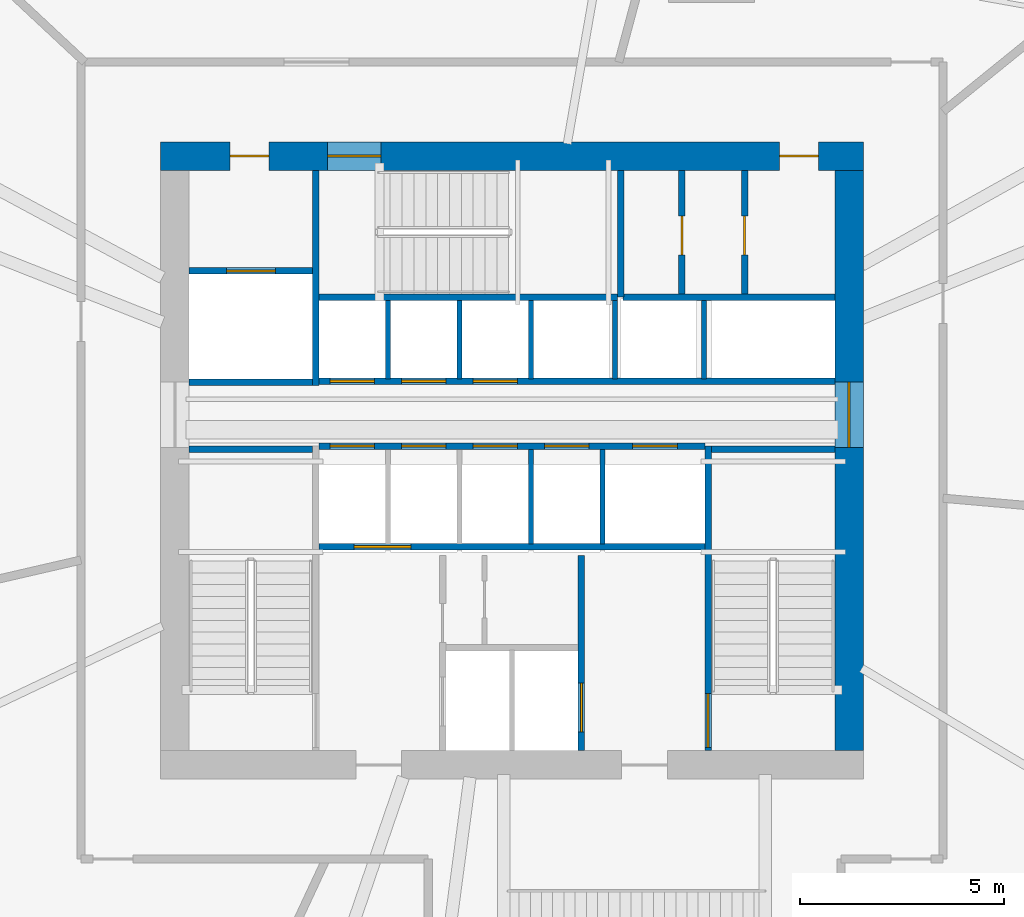
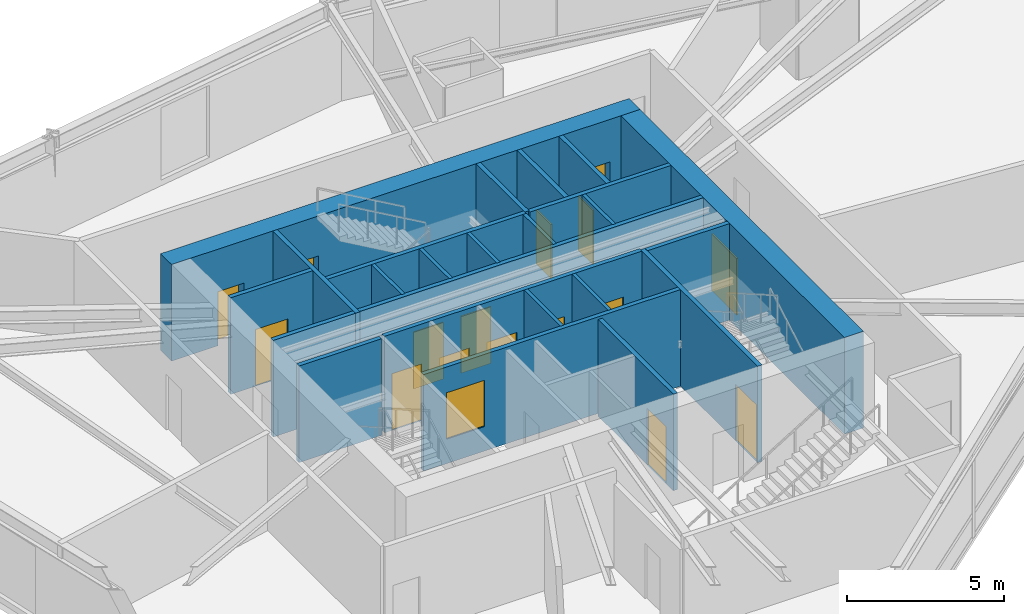
# One storey, part 12 of 16: 24 walls, 17 doors, 1 window, 18 openings.
"""IFC4 building model written with IfcOpenShell, lengths in metres."""

from ifc_helpers import new_model, si_unit, direction, frame, frame_2d, origin, place, context, subcontext, project, spatial, rectangle, extrude, source, transform, mapped, material, layer, layer_set, type_object, type_shapes, element, fill, save


model = new_model("IFC4")

# Units and contexts
model_context = context("Model", 3, precision=1e-05, world=origin(), true_north=direction((0.0, 1.0)))
body_context = subcontext(model_context, "Body", "Model", "MODEL_VIEW")
ifc_project = project(units=[si_unit("LENGTHUNIT", "METRE"), si_unit("AREAUNIT", "SQUARE_METRE"), si_unit("VOLUMEUNIT", "CUBIC_METRE"), si_unit("PLANEANGLEUNIT", "RADIAN"), si_unit("MASSUNIT", "GRAM", prefix="KILO")], contexts=[model_context])

# Site, building, storey
site_placement = place(None, origin())
site = spatial("IfcSite", under=ifc_project, at=site_placement, CompositionType="ELEMENT")
building_placement = place(site_placement, origin())
building = spatial("IfcBuilding", under=site, at=building_placement, Name="Olszyna Solenne Hotel", CompositionType="ELEMENT")
storey_placement = place(building_placement, frame((0.0, 0.0, 134.10009765625)))
storey = spatial("IfcBuildingStorey", under=building, at=storey_placement, Name="L35", CompositionType="ELEMENT", Elevation=134.10009765625)

# Wall, openings, doors
ifc_material_1 = material(Name="Concrete C60/75", Category="concrete")
ifc_layer_1 = layer(ifc_material_1, 0.699951171875, Name="Concrete C60/75")
ifc_layer_set_1 = layer_set([ifc_layer_1], Name="Concrete C60/75")
wall_type_1 = type_object("IfcWallType", Name="WL-CR700", PredefinedType="SHEAR", material=ifc_layer_set_1)
wall_1_placement = place(storey_placement, frame((29.39990234375, 34.050048828125, 0.0), z_axis=(0.0, 0.0, 1.0), x_axis=(1.0, 0.0, 0.0)))
wall_1 = element("IfcWall", 1, at=wall_1_placement, inside=storey, type_object=wall_type_1, Name="Core shear wall WL-CR700 CRW-L35-N", PredefinedType="SHEAR", context=body_context, shape_type="SweptSolid", body=[
    extrude(rectangle(XDim=17.2001953125, YDim=0.699951171875, at=frame_2d((8.60009765625, 0.0))), origin(), (0.0, 0.0, 1.0), 3.75),
])
opening_1_placement = place(wall_1_placement, frame((1.699951171875, 0.0, 0.0)))
opening_1 = element("IfcOpeningElement", 2, at=opening_1_placement, cuts=wall_1, Name="Opening SVD-L35-01", PredefinedType="OPENING", context=body_context, shape_type="SweptSolid", body=[
    extrude(rectangle(XDim=0.949951171875, YDim=2.10009765625, at=frame_2d((0.47509765625, 1.050048828125))), frame((0.0, 0.35986328125, 0.0), z_axis=(0.0, -1.0, 0.0), x_axis=(1.0, 0.0, 0.0)), (0.0, 0.0, 1.0), 0.719970703125),
])
opening_2_placement = place(wall_1_placement, frame((4.080078125, 0.0, 0.0)))
opening_2 = element("IfcOpeningElement", 3, at=opening_2_placement, cuts=wall_1, Name="Opening STD-L35-03", PredefinedType="OPENING", context=body_context, shape_type="SweptSolid", body=[
    extrude(rectangle(XDim=1.320068359375, YDim=2.199951171875, at=frame_2d((0.66015625, 1.10009765625))), frame((0.0, 0.35986328125, 0.0), z_axis=(0.0, -1.0, 0.0), x_axis=(1.0, 0.0, 0.0)), (0.0, 0.0, 1.0), 0.719970703125),
])
opening_3_placement = place(wall_1_placement, frame((15.14990234375, 0.0, 0.0)))
opening_3 = element("IfcOpeningElement", 4, at=opening_3_placement, cuts=wall_1, Name="Opening SVD-L35-BN", PredefinedType="OPENING", context=body_context, shape_type="SweptSolid", body=[
    extrude(rectangle(XDim=0.949951171875, YDim=2.10009765625, at=frame_2d((0.47509765625, 1.050048828125))), frame((0.0, 0.35986328125, 0.0), z_axis=(0.0, -1.0, 0.0), x_axis=(1.0, 0.0, 0.0)), (0.0, 0.0, 1.0), 0.719970703125),
])
ifc_material_2 = material(Name="Steel S355J2", Category="steel")
door_type_1 = type_object("IfcDoorType", Name="DR-ST1", OperationType="NOTDEFINED", PredefinedType="DOOR", material=ifc_material_2)
shared_shape_1 = source(origin(), body_context, "Body", "SweptSolid", [
    extrude(rectangle(XDim=1.320068359375, YDim=2.199951171875, at=frame_2d((0.66015625, 1.10009765625))), frame((0.0, 0.02490234375, 0.0), z_axis=(0.0, -1.0, 0.0), x_axis=(1.0, 0.0, 0.0)), (0.0, 0.0, 1.0), 0.050048828125),
])
type_shapes(door_type_1, [shared_shape_1])
door_1_placement = place(opening_2_placement, origin())
door_1 = element("IfcDoor", 5, at=door_1_placement, inside=storey, type_object=door_type_1, Name="Pressurised exit stair ST3 fire door STD-L35-03", OperationType="SINGLE_SWING_RIGHT", OverallHeight=2.199951171875, OverallWidth=1.320068359375, PredefinedType="DOOR", context=body_context, shape_type="MappedRepresentation", body=[
    mapped(shared_shape_1, transform((0.0, 0.0, 0.0), x_axis=(1.0, 0.0, 0.0), y_axis=(0.0, 1.0, 0.0), z_axis=(0.0, 0.0, 1.0), scale=1.0)),
])
fill(opening_2, door_1)
door_type_2 = type_object("IfcDoorType", Name="DR-SV1", OperationType="NOTDEFINED", PredefinedType="DOOR", material=ifc_material_2)
shared_shape_2 = source(origin(), body_context, "Body", "SweptSolid", [
    extrude(rectangle(XDim=0.949951171875, YDim=2.10009765625, at=frame_2d((0.47509765625, 1.050048828125))), frame((0.0, 0.02490234375, 0.0), z_axis=(0.0, -1.0, 0.0), x_axis=(1.0, 0.0, 0.0)), (0.0, 0.0, 1.0), 0.050048828125),
])
type_shapes(door_type_2, [shared_shape_2])
door_2_placement = place(opening_1_placement, origin())
door_2 = element("IfcDoor", 6, at=door_2_placement, inside=storey, type_object=door_type_2, Name="Service lift lobby fire door SVD-L35-01", OperationType="SINGLE_SWING_LEFT", OverallHeight=2.10009765625, OverallWidth=0.949951171875, PredefinedType="DOOR", context=body_context, shape_type="MappedRepresentation", body=[
    mapped(shared_shape_2, transform((0.0, 0.0, 0.0), x_axis=(1.0, 0.0, 0.0), y_axis=(0.0, 1.0, 0.0), z_axis=(0.0, 0.0, 1.0), scale=1.0)),
])
fill(opening_1, door_2)
door_3_placement = place(opening_3_placement, origin())
door_3 = element("IfcDoor", 7, at=door_3_placement, inside=storey, type_object=door_type_2, Name="Housekeeping core fire door SVD-L35-BN", OperationType="SINGLE_SWING_LEFT", OverallHeight=2.10009765625, OverallWidth=0.949951171875, PredefinedType="DOOR", context=body_context, shape_type="MappedRepresentation", body=[
    mapped(shared_shape_2, transform((0.0, 0.0, 0.0), x_axis=(1.0, 0.0, 0.0), y_axis=(0.0, 1.0, 0.0), z_axis=(0.0, 0.0, 1.0), scale=1.0)),
])
fill(opening_3, door_3)

# Wall, opening, door
wall_2_placement = place(storey_placement, frame((46.25, 33.699951171875, 0.0), z_axis=(0.0, 0.0, 1.0), x_axis=(0.0, -1.0, 0.0)))
wall_2 = element("IfcWall", 8, at=wall_2_placement, inside=storey, type_object=wall_type_1, Name="Core shear wall WL-CR700 CRW-L35-E", PredefinedType="SHEAR", context=body_context, shape_type="SweptSolid", body=[
    extrude(rectangle(XDim=14.199951171875, YDim=0.699951171875, at=frame_2d((7.10009765625, 0.0))), origin(), (0.0, 0.0, 1.0), 3.75),
])
opening_4_placement = place(wall_2_placement, frame((5.179931640625, 0.0, 0.0)))
opening_4 = element("IfcOpeningElement", 9, at=opening_4_placement, cuts=wall_2, Name="Opening LHD-L35-E", PredefinedType="OPENING", context=body_context, shape_type="SweptSolid", body=[
    extrude(rectangle(XDim=1.60009765625, YDim=2.199951171875, at=frame_2d((0.800048828125, 1.10009765625))), frame((0.0, 0.35986328125, 0.0), z_axis=(0.0, -1.0, 0.0), x_axis=(1.0, 0.0, 0.0)), (0.0, 0.0, 1.0), 0.719970703125),
])
ifc_material_3 = material(Name="Timber hardwood", Category="wood")
door_type_3 = type_object("IfcDoorType", Name="DR-CR1", OperationType="DOUBLE_DOOR_SINGLE_SWING", PredefinedType="DOOR", material=ifc_material_3)
shared_shape_3 = source(origin(), body_context, "Body", "SweptSolid", [
    extrude(rectangle(XDim=1.60009765625, YDim=2.199951171875, at=frame_2d((0.800048828125, 1.10009765625))), frame((0.0, 0.02490234375, 0.0), z_axis=(0.0, -1.0, 0.0), x_axis=(1.0, 0.0, 0.0)), (0.0, 0.0, 1.0), 0.050048828125),
])
type_shapes(door_type_3, [shared_shape_3])
door_4_placement = place(opening_4_placement, origin())
door_4 = element("IfcDoor", 10, at=door_4_placement, inside=storey, type_object=door_type_3, Name="Passenger lift lobby East fire door LHD-L35-E", OperationType="DOUBLE_DOOR_SINGLE_SWING", OverallHeight=2.199951171875, OverallWidth=1.60009765625, PredefinedType="DOOR", context=body_context, shape_type="MappedRepresentation", body=[
    mapped(shared_shape_3, transform((0.0, 0.0, 0.0), x_axis=(1.0, 0.0, 0.0), y_axis=(0.0, 1.0, 0.0), z_axis=(0.0, 0.0, 1.0), scale=1.0)),
])
fill(opening_4, door_4)

# Walls
ifc_material_4 = material(Name="Acoustic gypsum partition", Category="gypsum")
ifc_layer_2 = layer(ifc_material_4, 0.125, Name="Acoustic gypsum partition")
ifc_layer_set_2 = layer_set([ifc_layer_2], Name="Acoustic gypsum partition")
wall_type_2 = type_object("IfcWallType", Name="WL-PT125", PredefinedType="PARTITIONING", material=ifc_layer_set_2)
for number, where, z_axis, x_axis, name in (
    (11, (38.465087890625, 24.56005859375, 0.0), (0.0, 0.0, 1.0), (0.0, 1.0, 0.0), "Core shaft compartment wall CW-L35-DIVS384"),
    (12, (40.215087890625, 24.56005859375, 0.0), (0.0, 0.0, 1.0), (0.0, 1.0, 0.0), "Core shaft compartment wall CW-L35-DIVS402"),
):
    element("IfcWall", number, at=place(storey_placement, frame(where, z_axis=z_axis, x_axis=x_axis)), inside=storey, type_object=wall_type_2, Name=name, PredefinedType="PARTITIONING", context=body_context, shape_type="SweptSolid", body=[
        extrude(rectangle(XDim=2.31005859375, YDim=0.125, at=frame_2d((1.155029296875, 0.0))), origin(), (0.0, 0.0, 1.0), 3.75),
    ])
for number, where, z_axis, x_axis, name in (
    (13, (34.965087890625, 28.60009765625, 0.0), (0.0, 0.0, 1.0), (0.0, 1.0, 0.0), "Core shaft compartment wall CW-L35-DIVN349"),
    (14, (36.715087890625, 28.60009765625, 0.0), (0.0, 0.0, 1.0), (0.0, 1.0, 0.0), "Core shaft compartment wall CW-L35-DIVN367"),
    (15, (38.465087890625, 28.60009765625, 0.0), (0.0, 0.0, 1.0), (0.0, 1.0, 0.0), "Core shaft compartment wall CW-L35-DIVN384"),
    (16, (40.52490234375, 28.60009765625, 0.0), (0.0, 0.0, 1.0), (0.0, 1.0, 0.0), "Core shaft compartment wall CW-L35-DIVEX405"),
    (17, (42.699951171875, 28.60009765625, 0.0), (0.0, 0.0, 1.0), (0.0, 1.0, 0.0), "Core shaft compartment wall CW-L35-DIVEX427"),
):
    element("IfcWall", number, at=place(storey_placement, frame(where, z_axis=z_axis, x_axis=x_axis)), inside=storey, type_object=wall_type_2, Name=name, PredefinedType="PARTITIONING", context=body_context, shape_type="SweptSolid", body=[
        extrude(rectangle(XDim=1.919921875, YDim=0.125, at=frame_2d((0.9599609375, 0.0))), origin(), (0.0, 0.0, 1.0), 3.75),
    ])
ifc_layer_3 = layer(ifc_material_4, 0.159912109375, Name="Acoustic gypsum partition")
ifc_layer_set_3 = layer_set([ifc_layer_3], Name="Acoustic gypsum partition")
wall_type_3 = type_object("IfcWallType", Name="WL-PT160", PredefinedType="PARTITIONING", material=ifc_layer_set_3)
wall_3_placement = place(storey_placement, frame((30.10009765625, 26.8798828125, 0.0), z_axis=(0.0, 0.0, 1.0), x_axis=(1.0, 0.0, 0.0)))
element("IfcWall", 18, at=wall_3_placement, inside=storey, type_object=wall_type_3, Name="Core shaft compartment wall CW-L35-ST1N", PredefinedType="PARTITIONING", context=body_context, shape_type="SweptSolid", body=[
    extrude(rectangle(XDim=3.02001953125, YDim=0.159912109375, at=frame_2d((1.510009765625, 0.0))), origin(), (0.0, 0.0, 1.0), 3.75),
])

# Wall, opening, door
wall_4_placement = place(storey_placement, frame((42.800048828125, 26.9599609375, 0.0), z_axis=(0.0, 0.0, 1.0), x_axis=(0.0, -1.0, 0.0)))
wall_4 = element("IfcWall", 19, at=wall_4_placement, inside=storey, type_object=wall_type_3, Name="Core shaft compartment wall CW-L35-ST2W", PredefinedType="PARTITIONING", context=body_context, shape_type="SweptSolid", body=[
    extrude(rectangle(XDim=7.4599609375, YDim=0.159912109375, at=frame_2d((3.72998046875, 0.0))), origin(), (0.0, 0.0, 1.0), 3.75),
])
opening_5_placement = place(wall_4_placement, frame((6.06005859375, 0.0, 0.0)))
opening_5 = element("IfcOpeningElement", 20, at=opening_5_placement, cuts=wall_4, Name="Opening STD-L35-02", PredefinedType="OPENING", context=body_context, shape_type="SweptSolid", body=[
    extrude(rectangle(XDim=1.320068359375, YDim=2.199951171875, at=frame_2d((0.66015625, 1.10009765625))), frame((0.0, 0.08984375, 0.0), z_axis=(0.0, -1.0, 0.0), x_axis=(1.0, 0.0, 0.0)), (0.0, 0.0, 1.0), 0.179931640625),
])
door_5_placement = place(opening_5_placement, origin())
door_5 = element("IfcDoor", 21, at=door_5_placement, inside=storey, type_object=door_type_1, Name="Pressurised exit stair ST2 fire door STD-L35-02", OperationType="SINGLE_SWING_RIGHT", OverallHeight=2.199951171875, OverallWidth=1.320068359375, PredefinedType="DOOR", context=body_context, shape_type="MappedRepresentation", body=[
    mapped(shared_shape_1, transform((0.0, 0.0, 0.0), x_axis=(1.0, 0.0, 0.0), y_axis=(0.0, 1.0, 0.0), z_axis=(0.0, 0.0, 1.0), scale=1.0)),
])
fill(opening_5, door_5)

# Walls
wall_5_placement = place(storey_placement, frame((42.8798828125, 26.8798828125, 0.0), z_axis=(0.0, 0.0, 1.0), x_axis=(1.0, 0.0, 0.0)))
element("IfcWall", 22, at=wall_5_placement, inside=storey, type_object=wall_type_3, Name="Core shaft compartment wall CW-L35-ST2N", PredefinedType="PARTITIONING", context=body_context, shape_type="SweptSolid", body=[
    extrude(rectangle(XDim=3.02001953125, YDim=0.159912109375, at=frame_2d((1.510009765625, 0.0))), origin(), (0.0, 0.0, 1.0), 3.75),
])
wall_6_placement = place(storey_placement, frame((33.280029296875, 30.60009765625, 0.0), z_axis=(0.0, 0.0, 1.0), x_axis=(1.0, 0.0, 0.0)))
element("IfcWall", 23, at=wall_6_placement, inside=storey, type_object=wall_type_3, Name="Core shaft compartment wall CW-L35-ST3S", PredefinedType="PARTITIONING", context=body_context, shape_type="SweptSolid", body=[
    extrude(rectangle(XDim=7.300048828125, YDim=0.159912109375, at=frame_2d((3.64990234375, 0.0))), origin(), (0.0, 0.0, 1.0), 3.75),
])
wall_7_placement = place(storey_placement, frame((40.659912109375, 30.60009765625, 0.0), z_axis=(0.0, 0.0, 1.0), x_axis=(0.0, 1.0, 0.0)))
element("IfcWall", 24, at=wall_7_placement, inside=storey, type_object=wall_type_3, Name="Core shaft compartment wall CW-L35-ST3E", PredefinedType="PARTITIONING", context=body_context, shape_type="SweptSolid", body=[
    extrude(rectangle(XDim=3.099853515625, YDim=0.159912109375, at=frame_2d((1.5498046875, 0.0))), origin(), (0.0, 0.0, 1.0), 3.75),
])

# Wall, opening, door
wall_8_placement = place(storey_placement, frame((39.699951171875, 24.280029296875, 0.0), z_axis=(0.0, 0.0, 1.0), x_axis=(0.0, -1.0, 0.0)))
wall_8 = element("IfcWall", 25, at=wall_8_placement, inside=storey, type_object=wall_type_3, Name="Core shaft compartment wall CW-L35-FF2E", PredefinedType="PARTITIONING", context=body_context, shape_type="SweptSolid", body=[
    extrude(rectangle(XDim=4.780029296875, YDim=0.159912109375, at=frame_2d((2.39013671875, 0.0))), origin(), (0.0, 0.0, 1.0), 3.75),
])
opening_6_placement = place(wall_8_placement, frame((3.1201171875, 0.0, 0.0)))
opening_6 = element("IfcOpeningElement", 26, at=opening_6_placement, cuts=wall_8, Name="Opening LD-L35-FF2", PredefinedType="OPENING", context=body_context, shape_type="SweptSolid", body=[
    extrude(rectangle(XDim=1.199951171875, YDim=2.199951171875, at=frame_2d((0.60009765625, 1.10009765625))), frame((0.0, 0.08984375, 0.0), z_axis=(0.0, -1.0, 0.0), x_axis=(1.0, 0.0, 0.0)), (0.0, 0.0, 1.0), 0.179931640625),
])
door_type_4 = type_object("IfcDoorType", Name="LD-FF1", OperationType="DOUBLE_DOOR_SLIDING", PredefinedType="DOOR", material=ifc_material_2)
shared_shape_4 = source(origin(), body_context, "Body", "SweptSolid", [
    extrude(rectangle(XDim=1.199951171875, YDim=2.199951171875, at=frame_2d((0.60009765625, 1.10009765625))), frame((0.0, 0.02490234375, 0.0), z_axis=(0.0, -1.0, 0.0), x_axis=(1.0, 0.0, 0.0)), (0.0, 0.0, 1.0), 0.050048828125),
])
type_shapes(door_type_4, [shared_shape_4])
door_6_placement = place(opening_6_placement, origin())
door_6 = element("IfcDoor", 27, at=door_6_placement, inside=storey, type_object=door_type_4, Name="Firefighters lift FF2 sliding landing door LD-L35-FF2", OperationType="DOUBLE_DOOR_SLIDING", OverallHeight=2.199951171875, OverallWidth=1.199951171875, PredefinedType="DOOR", context=body_context, shape_type="MappedRepresentation", body=[
    mapped(shared_shape_4, transform((0.0, 0.0, 0.0), x_axis=(1.0, 0.0, 0.0), y_axis=(0.0, 1.0, 0.0), z_axis=(0.0, 0.0, 1.0), scale=1.0)),
])
fill(opening_6, door_6)

# Wall, opening, window
wall_9_placement = place(storey_placement, frame((33.280029296875, 24.489990234375, 0.0), z_axis=(0.0, 0.0, 1.0), x_axis=(1.0, 0.0, 0.0)))
wall_9 = element("IfcWall", 28, at=wall_9_placement, inside=storey, type_object=wall_type_3, Name="Core shaft compartment wall CW-L35-FFBN", PredefinedType="PARTITIONING", context=body_context, shape_type="SweptSolid", body=[
    extrude(rectangle(XDim=9.43994140625, YDim=0.159912109375, at=frame_2d((4.719970703125, 0.0))), origin(), (0.0, 0.0, 1.0), 3.75),
])
opening_7_placement = place(wall_9_placement, frame((0.85009765625, 0.0, 0.949951171875)))
opening_7 = element("IfcOpeningElement", 29, at=opening_7_placement, cuts=wall_9, Name="Opening WNI-L35-01", PredefinedType="OPENING", context=body_context, shape_type="SweptSolid", body=[
    extrude(rectangle(XDim=1.39990234375, YDim=1.800048828125, at=frame_2d((0.699951171875, 0.89990234375))), frame((0.0, 0.08984375, 0.0), z_axis=(0.0, -1.0, 0.0), x_axis=(1.0, 0.0, 0.0)), (0.0, 0.0, 1.0), 0.179931640625),
])
ifc_material_5 = material(Name="Low-E triple glazing", Category="glass")
window_type = type_object("IfcWindowType", Name="WN-IN1", PartitioningType="SINGLE_PANEL", PredefinedType="WINDOW", material=ifc_material_5)
shared_shape_5 = source(origin(), body_context, "Body", "SweptSolid", [
    extrude(rectangle(XDim=1.39990234375, YDim=1.800048828125, at=frame_2d((0.699951171875, 0.89990234375))), frame((0.0, 0.030029296875, 0.0), z_axis=(0.0, -1.0, 0.0), x_axis=(1.0, 0.0, 0.0)), (0.0, 0.0, 1.0), 0.06005859375),
])
type_shapes(window_type, [shared_shape_5])
window_placement = place(opening_7_placement, origin())
window = element("IfcWindow", 30, at=window_placement, inside=storey, type_object=window_type, Name="Borrowed-light acoustic screen window WNI-L35-01", OverallHeight=1.800048828125, OverallWidth=1.39990234375, PartitioningType="SINGLE_PANEL", PredefinedType="WINDOW", context=body_context, shape_type="MappedRepresentation", body=[
    mapped(shared_shape_5, transform((0.0, 0.0, 0.0), x_axis=(1.0, 0.0, 0.0), y_axis=(0.0, 1.0, 0.0), z_axis=(0.0, 0.0, 1.0), scale=1.0)),
])
fill(opening_7, window)

# Walls
wall_10_placement = place(storey_placement, frame((30.10009765625, 28.52001953125, 0.0), z_axis=(0.0, 0.0, 1.0), x_axis=(1.0, 0.0, 0.0)))
element("IfcWall", 31, at=wall_10_placement, inside=storey, type_object=wall_type_3, Name="Core shaft compartment wall CW-L35-SV1S", PredefinedType="PARTITIONING", context=body_context, shape_type="SweptSolid", body=[
    extrude(rectangle(XDim=3.02001953125, YDim=0.159912109375, at=frame_2d((1.510009765625, 0.0))), origin(), (0.0, 0.0, 1.0), 3.75),
])
wall_11_placement = place(storey_placement, frame((33.199951171875, 28.43994140625, 0.0), z_axis=(0.0, 0.0, 1.0), x_axis=(0.0, 1.0, 0.0)))
element("IfcWall", 32, at=wall_11_placement, inside=storey, type_object=wall_type_3, Name="Core shaft compartment wall CW-L35-SV1E", PredefinedType="PARTITIONING", context=body_context, shape_type="SweptSolid", body=[
    extrude(rectangle(XDim=5.260009765625, YDim=0.159912109375, at=frame_2d((2.6298828125, 0.0))), origin(), (0.0, 0.0, 1.0), 3.75),
])

# Wall, opening, door
wall_12_placement = place(storey_placement, frame((30.10009765625, 31.239990234375, 0.0), z_axis=(0.0, 0.0, 1.0), x_axis=(1.0, 0.0, 0.0)))
wall_12 = element("IfcWall", 33, at=wall_12_placement, inside=storey, type_object=wall_type_3, Name="Core shaft compartment wall CW-L35-SV1N", PredefinedType="PARTITIONING", context=body_context, shape_type="SweptSolid", body=[
    extrude(rectangle(XDim=3.02001953125, YDim=0.159912109375, at=frame_2d((1.510009765625, 0.0))), origin(), (0.0, 0.0, 1.0), 3.75),
])
opening_8_placement = place(wall_12_placement, frame((0.909912109375, 0.0, 0.0)))
opening_8 = element("IfcOpeningElement", 34, at=opening_8_placement, cuts=wall_12, Name="Opening LD-L35-SV1", PredefinedType="OPENING", context=body_context, shape_type="SweptSolid", body=[
    extrude(rectangle(XDim=1.199951171875, YDim=2.199951171875, at=frame_2d((0.60009765625, 1.10009765625))), frame((0.0, 0.08984375, 0.0), z_axis=(0.0, -1.0, 0.0), x_axis=(1.0, 0.0, 0.0)), (0.0, 0.0, 1.0), 0.179931640625),
])
door_7_placement = place(opening_8_placement, origin())
door_7 = element("IfcDoor", 35, at=door_7_placement, inside=storey, type_object=door_type_4, Name="Service lift SV1 sliding landing door LD-L35-SV1", OperationType="DOUBLE_DOOR_SLIDING", OverallHeight=2.199951171875, OverallWidth=1.199951171875, PredefinedType="DOOR", context=body_context, shape_type="MappedRepresentation", body=[
    mapped(shared_shape_4, transform((0.0, 0.0, 0.0), x_axis=(1.0, 0.0, 0.0), y_axis=(0.0, 1.0, 0.0), z_axis=(0.0, 0.0, 1.0), scale=1.0)),
])
fill(opening_8, door_7)

# Wall, openings, doors
wall_13_placement = place(storey_placement, frame((33.280029296875, 26.949951171875, 0.0), z_axis=(0.0, 0.0, 1.0), x_axis=(1.0, 0.0, 0.0)))
wall_13 = element("IfcWall", 36, at=wall_13_placement, inside=storey, type_object=wall_type_3, Name="Core shaft compartment wall CW-L35-LRS", PredefinedType="PARTITIONING", context=body_context, shape_type="SweptSolid", body=[
    extrude(rectangle(XDim=9.43994140625, YDim=0.159912109375, at=frame_2d((4.719970703125, 0.0))), origin(), (0.0, 0.0, 1.0), 3.75),
])
opening_9_placement = place(wall_13_placement, frame((0.260009765625, 0.0, 0.0)))
opening_9 = element("IfcOpeningElement", 37, at=opening_9_placement, cuts=wall_13, Name="Opening LD-L35-PL1", PredefinedType="OPENING", context=body_context, shape_type="SweptSolid", body=[
    extrude(rectangle(XDim=1.10009765625, YDim=2.199951171875, at=frame_2d((0.550048828125, 1.10009765625))), frame((0.0, 0.08984375, 0.0), z_axis=(0.0, -1.0, 0.0), x_axis=(1.0, 0.0, 0.0)), (0.0, 0.0, 1.0), 0.179931640625),
])
opening_10_placement = place(wall_13_placement, frame((2.010009765625, 0.0, 0.0)))
opening_10 = element("IfcOpeningElement", 38, at=opening_10_placement, cuts=wall_13, Name="Opening LD-L35-PL2", PredefinedType="OPENING", context=body_context, shape_type="SweptSolid", body=[
    extrude(rectangle(XDim=1.10009765625, YDim=2.199951171875, at=frame_2d((0.550048828125, 1.10009765625))), frame((0.0, 0.08984375, 0.0), z_axis=(0.0, -1.0, 0.0), x_axis=(1.0, 0.0, 0.0)), (0.0, 0.0, 1.0), 0.179931640625),
])
opening_11_placement = place(wall_13_placement, frame((3.760009765625, 0.0, 0.0)))
opening_11 = element("IfcOpeningElement", 39, at=opening_11_placement, cuts=wall_13, Name="Opening LD-L35-PL3", PredefinedType="OPENING", context=body_context, shape_type="SweptSolid", body=[
    extrude(rectangle(XDim=1.10009765625, YDim=2.199951171875, at=frame_2d((0.550048828125, 1.10009765625))), frame((0.0, 0.08984375, 0.0), z_axis=(0.0, -1.0, 0.0), x_axis=(1.0, 0.0, 0.0)), (0.0, 0.0, 1.0), 0.179931640625),
])
opening_12_placement = place(wall_13_placement, frame((5.510009765625, 0.0, 0.0)))
opening_12 = element("IfcOpeningElement", 40, at=opening_12_placement, cuts=wall_13, Name="Opening LD-L35-PL4", PredefinedType="OPENING", context=body_context, shape_type="SweptSolid", body=[
    extrude(rectangle(XDim=1.10009765625, YDim=2.199951171875, at=frame_2d((0.550048828125, 1.10009765625))), frame((0.0, 0.08984375, 0.0), z_axis=(0.0, -1.0, 0.0), x_axis=(1.0, 0.0, 0.0)), (0.0, 0.0, 1.0), 0.179931640625),
])
opening_13_placement = place(wall_13_placement, frame((7.669921875, 0.0, 0.0)))
opening_13 = element("IfcOpeningElement", 41, at=opening_13_placement, cuts=wall_13, Name="Opening LD-L35-PL5", PredefinedType="OPENING", context=body_context, shape_type="SweptSolid", body=[
    extrude(rectangle(XDim=1.10009765625, YDim=2.199951171875, at=frame_2d((0.550048828125, 1.10009765625))), frame((0.0, 0.08984375, 0.0), z_axis=(0.0, -1.0, 0.0), x_axis=(1.0, 0.0, 0.0)), (0.0, 0.0, 1.0), 0.179931640625),
])
door_type_5 = type_object("IfcDoorType", Name="LD-P1", OperationType="DOUBLE_DOOR_SLIDING", PredefinedType="DOOR", material=ifc_material_2)
shared_shape_6 = source(origin(), body_context, "Body", "SweptSolid", [
    extrude(rectangle(XDim=1.10009765625, YDim=2.199951171875, at=frame_2d((0.550048828125, 1.10009765625))), frame((0.0, 0.02490234375, 0.0), z_axis=(0.0, -1.0, 0.0), x_axis=(1.0, 0.0, 0.0)), (0.0, 0.0, 1.0), 0.050048828125),
])
type_shapes(door_type_5, [shared_shape_6])
door_8_placement = place(opening_9_placement, origin())
door_8 = element("IfcDoor", 42, at=door_8_placement, inside=storey, type_object=door_type_5, Name="Passenger lift PL1 sliding landing door LD-L35-PL1", OperationType="DOUBLE_DOOR_SLIDING", OverallHeight=2.199951171875, OverallWidth=1.10009765625, PredefinedType="DOOR", context=body_context, shape_type="MappedRepresentation", body=[
    mapped(shared_shape_6, transform((0.0, 0.0, 0.0), x_axis=(1.0, 0.0, 0.0), y_axis=(0.0, 1.0, 0.0), z_axis=(0.0, 0.0, 1.0), scale=1.0)),
])
fill(opening_9, door_8)
door_9_placement = place(opening_10_placement, origin())
door_9 = element("IfcDoor", 43, at=door_9_placement, inside=storey, type_object=door_type_5, Name="Passenger lift PL2 sliding landing door LD-L35-PL2", OperationType="DOUBLE_DOOR_SLIDING", OverallHeight=2.199951171875, OverallWidth=1.10009765625, PredefinedType="DOOR", context=body_context, shape_type="MappedRepresentation", body=[
    mapped(shared_shape_6, transform((0.0, 0.0, 0.0), x_axis=(1.0, 0.0, 0.0), y_axis=(0.0, 1.0, 0.0), z_axis=(0.0, 0.0, 1.0), scale=1.0)),
])
fill(opening_10, door_9)
door_10_placement = place(opening_11_placement, origin())
door_10 = element("IfcDoor", 44, at=door_10_placement, inside=storey, type_object=door_type_5, Name="Passenger lift PL3 sliding landing door LD-L35-PL3", OperationType="DOUBLE_DOOR_SLIDING", OverallHeight=2.199951171875, OverallWidth=1.10009765625, PredefinedType="DOOR", context=body_context, shape_type="MappedRepresentation", body=[
    mapped(shared_shape_6, transform((0.0, 0.0, 0.0), x_axis=(1.0, 0.0, 0.0), y_axis=(0.0, 1.0, 0.0), z_axis=(0.0, 0.0, 1.0), scale=1.0)),
])
fill(opening_11, door_10)
door_11_placement = place(opening_12_placement, origin())
door_11 = element("IfcDoor", 45, at=door_11_placement, inside=storey, type_object=door_type_5, Name="Passenger lift PL4 sliding landing door LD-L35-PL4", OperationType="DOUBLE_DOOR_SLIDING", OverallHeight=2.199951171875, OverallWidth=1.10009765625, PredefinedType="DOOR", context=body_context, shape_type="MappedRepresentation", body=[
    mapped(shared_shape_6, transform((0.0, 0.0, 0.0), x_axis=(1.0, 0.0, 0.0), y_axis=(0.0, 1.0, 0.0), z_axis=(0.0, 0.0, 1.0), scale=1.0)),
])
fill(opening_12, door_11)
door_12_placement = place(opening_13_placement, origin())
door_12 = element("IfcDoor", 46, at=door_12_placement, inside=storey, type_object=door_type_5, Name="Passenger lift PL5 sliding landing door LD-L35-PL5", OperationType="DOUBLE_DOOR_SLIDING", OverallHeight=2.199951171875, OverallWidth=1.10009765625, PredefinedType="DOOR", context=body_context, shape_type="MappedRepresentation", body=[
    mapped(shared_shape_6, transform((0.0, 0.0, 0.0), x_axis=(1.0, 0.0, 0.0), y_axis=(0.0, 1.0, 0.0), z_axis=(0.0, 0.0, 1.0), scale=1.0)),
])
fill(opening_13, door_12)

wall_14_placement = place(storey_placement, frame((33.280029296875, 28.5400390625, 0.0), z_axis=(0.0, 0.0, 1.0), x_axis=(1.0, 0.0, 0.0)))
wall_14 = element("IfcWall", 47, at=wall_14_placement, inside=storey, type_object=wall_type_3, Name="Core shaft compartment wall CW-L35-LRN", PredefinedType="PARTITIONING", context=body_context, shape_type="SweptSolid", body=[
    extrude(rectangle(XDim=12.619873046875, YDim=0.159912109375, at=frame_2d((6.31005859375, 0.0))), origin(), (0.0, 0.0, 1.0), 3.75),
])
opening_14_placement = place(wall_14_placement, frame((0.260009765625, 0.0, 0.0)))
opening_14 = element("IfcOpeningElement", 48, at=opening_14_placement, cuts=wall_14, Name="Opening LD-L35-PL6", PredefinedType="OPENING", context=body_context, shape_type="SweptSolid", body=[
    extrude(rectangle(XDim=1.10009765625, YDim=2.199951171875, at=frame_2d((0.550048828125, 1.10009765625))), frame((0.0, 0.08984375, 0.0), z_axis=(0.0, -1.0, 0.0), x_axis=(1.0, 0.0, 0.0)), (0.0, 0.0, 1.0), 0.179931640625),
])
opening_15_placement = place(wall_14_placement, frame((2.010009765625, 0.0, 0.0)))
opening_15 = element("IfcOpeningElement", 49, at=opening_15_placement, cuts=wall_14, Name="Opening LD-L35-PL7", PredefinedType="OPENING", context=body_context, shape_type="SweptSolid", body=[
    extrude(rectangle(XDim=1.10009765625, YDim=2.199951171875, at=frame_2d((0.550048828125, 1.10009765625))), frame((0.0, 0.08984375, 0.0), z_axis=(0.0, -1.0, 0.0), x_axis=(1.0, 0.0, 0.0)), (0.0, 0.0, 1.0), 0.179931640625),
])
opening_16_placement = place(wall_14_placement, frame((3.760009765625, 0.0, 0.0)))
opening_16 = element("IfcOpeningElement", 50, at=opening_16_placement, cuts=wall_14, Name="Opening LD-L35-PL8", PredefinedType="OPENING", context=body_context, shape_type="SweptSolid", body=[
    extrude(rectangle(XDim=1.10009765625, YDim=2.199951171875, at=frame_2d((0.550048828125, 1.10009765625))), frame((0.0, 0.08984375, 0.0), z_axis=(0.0, -1.0, 0.0), x_axis=(1.0, 0.0, 0.0)), (0.0, 0.0, 1.0), 0.179931640625),
])
door_13_placement = place(opening_14_placement, origin())
door_13 = element("IfcDoor", 51, at=door_13_placement, inside=storey, type_object=door_type_5, Name="Passenger lift PL6 sliding landing door LD-L35-PL6", OperationType="DOUBLE_DOOR_SLIDING", OverallHeight=2.199951171875, OverallWidth=1.10009765625, PredefinedType="DOOR", context=body_context, shape_type="MappedRepresentation", body=[
    mapped(shared_shape_6, transform((0.0, 0.0, 0.0), x_axis=(1.0, 0.0, 0.0), y_axis=(0.0, 1.0, 0.0), z_axis=(0.0, 0.0, 1.0), scale=1.0)),
])
fill(opening_14, door_13)
door_14_placement = place(opening_15_placement, origin())
door_14 = element("IfcDoor", 52, at=door_14_placement, inside=storey, type_object=door_type_5, Name="Passenger lift PL7 sliding landing door LD-L35-PL7", OperationType="DOUBLE_DOOR_SLIDING", OverallHeight=2.199951171875, OverallWidth=1.10009765625, PredefinedType="DOOR", context=body_context, shape_type="MappedRepresentation", body=[
    mapped(shared_shape_6, transform((0.0, 0.0, 0.0), x_axis=(1.0, 0.0, 0.0), y_axis=(0.0, 1.0, 0.0), z_axis=(0.0, 0.0, 1.0), scale=1.0)),
])
fill(opening_15, door_14)
door_15_placement = place(opening_16_placement, origin())
door_15 = element("IfcDoor", 53, at=door_15_placement, inside=storey, type_object=door_type_5, Name="Passenger lift PL8 sliding landing door LD-L35-PL8", OperationType="DOUBLE_DOOR_SLIDING", OverallHeight=2.199951171875, OverallWidth=1.10009765625, PredefinedType="DOOR", context=body_context, shape_type="MappedRepresentation", body=[
    mapped(shared_shape_6, transform((0.0, 0.0, 0.0), x_axis=(1.0, 0.0, 0.0), y_axis=(0.0, 1.0, 0.0), z_axis=(0.0, 0.0, 1.0), scale=1.0)),
])
fill(opening_16, door_15)

# Wall
wall_15_placement = place(storey_placement, frame((40.719970703125, 30.60009765625, 0.0), z_axis=(0.0, 0.0, 1.0), x_axis=(1.0, 0.0, 0.0)))
element("IfcWall", 54, at=wall_15_placement, inside=storey, type_object=wall_type_3, Name="Core shaft compartment wall CW-L35-LRNTOP", PredefinedType="PARTITIONING", context=body_context, shape_type="SweptSolid", body=[
    extrude(rectangle(XDim=5.179931640625, YDim=0.159912109375, at=frame_2d((2.58984375, 0.0))), origin(), (0.0, 0.0, 1.0), 3.75),
])

# Wall, opening, door
wall_16_placement = place(storey_placement, frame((42.155029296875, 30.679931640625, 0.0), z_axis=(0.0, 0.0, 1.0), x_axis=(0.0, 1.0, 0.0)))
wall_16 = element("IfcWall", 55, at=wall_16_placement, inside=storey, type_object=wall_type_3, Name="Core shaft compartment wall CW-L35-BOH3A", PredefinedType="PARTITIONING", context=body_context, shape_type="SweptSolid", body=[
    extrude(rectangle(XDim=3.02001953125, YDim=0.159912109375, at=frame_2d((1.510009765625, 0.0))), origin(), (0.0, 0.0, 1.0), 3.75),
])
opening_17_placement = place(wall_16_placement, frame((0.949951171875, 0.0, 0.0)))
opening_17 = element("IfcOpeningElement", 56, at=opening_17_placement, cuts=wall_16, Name="Opening SVD-L35-B31", PredefinedType="OPENING", context=body_context, shape_type="SweptSolid", body=[
    extrude(rectangle(XDim=0.949951171875, YDim=2.10009765625, at=frame_2d((0.47509765625, 1.050048828125))), frame((0.0, 0.08984375, 0.0), z_axis=(0.0, -1.0, 0.0), x_axis=(1.0, 0.0, 0.0)), (0.0, 0.0, 1.0), 0.179931640625),
])
door_16_placement = place(opening_17_placement, origin())
door_16 = element("IfcDoor", 57, at=door_16_placement, inside=storey, type_object=door_type_2, Name="BOH inter-room fire door SVD-L35-B31", OperationType="SINGLE_SWING_LEFT", OverallHeight=2.10009765625, OverallWidth=0.949951171875, PredefinedType="DOOR", context=body_context, shape_type="MappedRepresentation", body=[
    mapped(shared_shape_2, transform((0.0, 0.0, 0.0), x_axis=(1.0, 0.0, 0.0), y_axis=(0.0, 1.0, 0.0), z_axis=(0.0, 0.0, 1.0), scale=1.0)),
])
fill(opening_17, door_16)

wall_17_placement = place(storey_placement, frame((43.695068359375, 30.679931640625, 0.0), z_axis=(0.0, 0.0, 1.0), x_axis=(0.0, 1.0, 0.0)))
wall_17 = element("IfcWall", 58, at=wall_17_placement, inside=storey, type_object=wall_type_3, Name="Core shaft compartment wall CW-L35-BOH3B", PredefinedType="PARTITIONING", context=body_context, shape_type="SweptSolid", body=[
    extrude(rectangle(XDim=3.02001953125, YDim=0.159912109375, at=frame_2d((1.510009765625, 0.0))), origin(), (0.0, 0.0, 1.0), 3.75),
])
opening_18_placement = place(wall_17_placement, frame((0.949951171875, 0.0, 0.0)))
opening_18 = element("IfcOpeningElement", 59, at=opening_18_placement, cuts=wall_17, Name="Opening SVD-L35-B32", PredefinedType="OPENING", context=body_context, shape_type="SweptSolid", body=[
    extrude(rectangle(XDim=0.949951171875, YDim=2.10009765625, at=frame_2d((0.47509765625, 1.050048828125))), frame((0.0, 0.08984375, 0.0), z_axis=(0.0, -1.0, 0.0), x_axis=(1.0, 0.0, 0.0)), (0.0, 0.0, 1.0), 0.179931640625),
])
door_17_placement = place(opening_18_placement, origin())
door_17 = element("IfcDoor", 60, at=door_17_placement, inside=storey, type_object=door_type_2, Name="BOH inter-room fire door SVD-L35-B32", OperationType="SINGLE_SWING_LEFT", OverallHeight=2.10009765625, OverallWidth=0.949951171875, PredefinedType="DOOR", context=body_context, shape_type="MappedRepresentation", body=[
    mapped(shared_shape_2, transform((0.0, 0.0, 0.0), x_axis=(1.0, 0.0, 0.0), y_axis=(0.0, 1.0, 0.0), z_axis=(0.0, 0.0, 1.0), scale=1.0)),
])
fill(opening_18, door_17)

save(model, "model.ifc")
